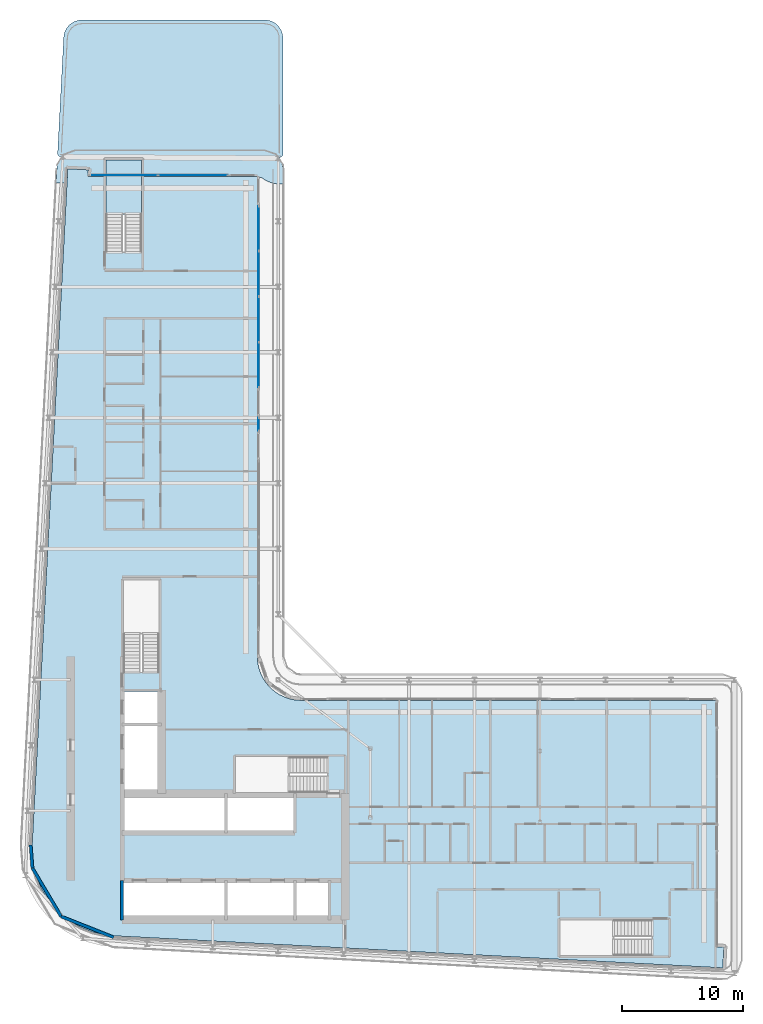
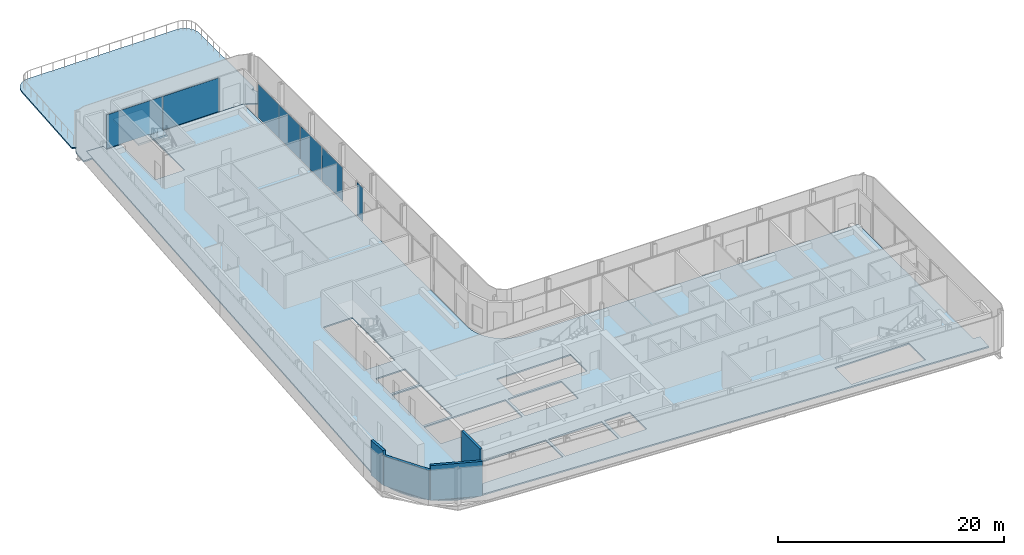
# One storey, part 9 of 22: 7 plates, 4 walls, 3 slabs, 5 elements without a shape of their own.
"""IFC4 building model written with IfcOpenShell, lengths in metres."""

from ifc_helpers import new_model, si_unit, direction, frame, frame_2d, origin, origin_2d, place, context, subcontext, project, spatial, polyline, rectangle, outline, extrude, material, layer, layer_set, type_object, element, aggregate, save


model = new_model("IFC4")

# Units and contexts
model_context = context("Model", 3, precision=1e-05, world=origin(), true_north=direction((0.0, 1.0)))
body_context = subcontext(model_context, "Body", "Model", "MODEL_VIEW")
ifc_project = project(units=[si_unit("LENGTHUNIT", "METRE"), si_unit("AREAUNIT", "SQUARE_METRE"), si_unit("VOLUMEUNIT", "CUBIC_METRE"), si_unit("PLANEANGLEUNIT", "RADIAN"), si_unit("MASSUNIT", "GRAM", prefix="KILO")], contexts=[model_context])

# Site, building, storey
site_placement = place(None, origin())
site = spatial("IfcSite", under=ifc_project, at=site_placement, CompositionType="ELEMENT")
building_placement = place(site_placement, origin())
building = spatial("IfcBuilding", under=site, at=building_placement, Name="Kheshtan School and Residences Tower", CompositionType="ELEMENT")
storey_placement = place(building_placement, frame((0.0, 0.0, 216.199951171875)))
storey = spatial("IfcBuildingStorey", under=building, at=storey_placement, Name="L50", CompositionType="ELEMENT", Elevation=216.199951171875)

# Curtain wall, plates
ifc_material_1 = material(Name="Clear low-e glass in thermally broken aluminium frame", Category="aluminium")
ifc_layer_1 = layer(ifc_material_1, 0.199951171875)
ifc_layer_set_1 = layer_set([ifc_layer_1], Name="Curtain wall CW-L")
curtain_wall_type = type_object("IfcCurtainWallType", Name="Curtain wall CW-L", PredefinedType="NOTDEFINED", material=ifc_layer_set_1)
curtain_wall_1_placement = place(storey_placement, origin())
curtain_wall_1 = element("IfcCurtainWall", 1, at=curtain_wall_1_placement, inside=storey, type_object=curtain_wall_type, Name="Curtain wall CWL3", PredefinedType="NOTDEFINED")
ifc_layer_2 = layer(ifc_material_1, 0.031982421875)
ifc_layer_set_2 = layer_set([ifc_layer_2], Name="CW-L glass panel")
plate_type = type_object("IfcPlateType", Name="CW-L glass panel", PredefinedType="CURTAIN_PANEL", material=ifc_layer_set_2)
plate_1_placement = place(storey_placement, frame((34.8330078125, 87.199951171875, 0.0), z_axis=(0.0, 0.0, 1.0), x_axis=(1.0, 0.0, 0.0)))
plate_1 = element("IfcPlate", 2, at=plate_1_placement, type_object=plate_type, Name="CWL3 panel 1.1", PredefinedType="CURTAIN_PANEL", context=body_context, shape_type="SweptSolid", body=[
    extrude(rectangle(XDim=5.697998046875, YDim=0.031982421875, at=origin_2d()), origin(), (0.0, 0.0, 1.0), 3.6298828125),
])
plate_2_placement = place(storey_placement, frame((40.591064453125, 87.199951171875, 0.0), z_axis=(0.0, 0.0, 1.0), x_axis=(1.0, 0.0, 0.0)))
plate_2 = element("IfcPlate", 3, at=plate_2_placement, type_object=plate_type, Name="CWL3 panel 2.1", PredefinedType="CURTAIN_PANEL", context=body_context, shape_type="SweptSolid", body=[
    extrude(rectangle(XDim=5.697998046875, YDim=0.031982421875, at=origin_2d()), origin(), (0.0, 0.0, 1.0), 3.6298828125),
])
aggregate(curtain_wall_1, [plate_1, plate_2])

curtain_wall_2_placement = place(storey_placement, origin())
curtain_wall_2 = element("IfcCurtainWall", 4, at=curtain_wall_2_placement, inside=storey, type_object=curtain_wall_type, Name="Curtain wall CWL4a", PredefinedType="NOTDEFINED")
plate_3_placement = place(storey_placement, frame((46.0, 82.8056640625, 0.0), z_axis=(0.0, 0.0, 1.0), x_axis=(0.0, -1.0, 0.0)))
plate_3 = element("IfcPlate", 5, at=plate_3_placement, type_object=plate_type, Name="CWL4a panel 1.1", PredefinedType="CURTAIN_PANEL", context=body_context, shape_type="SweptSolid", body=[
    extrude(rectangle(XDim=3.668701171875, YDim=0.031982421875, at=origin_2d()), origin(), (0.0, 0.0, 1.0), 3.6298828125),
])
plate_4_placement = place(storey_placement, frame((46.0, 79.076904296875, 0.0), z_axis=(0.0, 0.0, 1.0), x_axis=(0.0, -1.0, 0.0)))
plate_4 = element("IfcPlate", 6, at=plate_4_placement, type_object=plate_type, Name="CWL4a panel 2.1", PredefinedType="CURTAIN_PANEL", context=body_context, shape_type="SweptSolid", body=[
    extrude(rectangle(XDim=3.668701171875, YDim=0.031982421875, at=origin_2d()), origin(), (0.0, 0.0, 1.0), 3.6298828125),
])
aggregate(curtain_wall_2, [plate_3, plate_4])

curtain_wall_3_placement = place(storey_placement, origin())
curtain_wall_3 = element("IfcCurtainWall", 7, at=curtain_wall_3_placement, inside=storey, type_object=curtain_wall_type, Name="Curtain wall CWL4a", PredefinedType="NOTDEFINED")
plate_5_placement = place(storey_placement, frame((46.0, 75.318115234375, 0.0), z_axis=(0.0, 0.0, 1.0), x_axis=(0.0, -1.0, 0.0)))
plate_5 = element("IfcPlate", 8, at=plate_5_placement, type_object=plate_type, Name="CWL4a panel 1.1", PredefinedType="CURTAIN_PANEL", context=body_context, shape_type="SweptSolid", body=[
    extrude(rectangle(XDim=3.728759765625, YDim=0.031982421875, at=origin_2d()), origin(), (0.0, 0.0, 1.0), 3.6298828125),
])
plate_6_placement = place(storey_placement, frame((46.0, 71.559326171875, 0.0), z_axis=(0.0, 0.0, 1.0), x_axis=(0.0, -1.0, 0.0)))
plate_6 = element("IfcPlate", 9, at=plate_6_placement, type_object=plate_type, Name="CWL4a panel 2.1", PredefinedType="CURTAIN_PANEL", context=body_context, shape_type="SweptSolid", body=[
    extrude(rectangle(XDim=3.668701171875, YDim=0.031982421875, at=origin_2d()), origin(), (0.0, 0.0, 1.0), 3.6298828125),
])
aggregate(curtain_wall_3, [plate_5, plate_6])

# Curtain wall, plate
curtain_wall_4_placement = place(storey_placement, origin())
curtain_wall_4 = element("IfcCurtainWall", 10, at=curtain_wall_4_placement, inside=storey, type_object=curtain_wall_type, Name="Curtain wall CWL4h", PredefinedType="NOTDEFINED")
plate_7_placement = place(storey_placement, frame((46.0, 66.6650390625, 0.0), z_axis=(0.0, 0.0, 1.0), x_axis=(0.0, -1.0, 0.0)))
plate_7 = element("IfcPlate", 11, at=plate_7_placement, type_object=plate_type, Name="CWL4h panel 1.1", PredefinedType="CURTAIN_PANEL", context=body_context, shape_type="SweptSolid", body=[
    extrude(rectangle(XDim=1.080078125, YDim=0.031982421875, at=origin_2d()), origin(), (0.0, 0.0, 1.0), 3.6298828125),
])
aggregate(curtain_wall_4, [plate_7])

# Slab
ifc_material_2 = material(Name="Concrete C40/50", Category="concrete")
ifc_layer_3 = layer(ifc_material_2, 0.14990234375)
ifc_layer_set_3 = layer_set([ifc_layer_3], Name="Floor slab 150 Concrete C40/50")
slab_type_1 = type_object("IfcSlabType", Name="Floor slab 150 Concrete C40/50", PredefinedType="FLOOR", material=ifc_layer_set_3)
slab_1_placement = place(storey_placement, frame((0.0, 0.0, -0.14990234375)))
element("IfcSlab", 12, at=slab_1_placement, inside=storey, type_object=slab_type_1, Name="Floor slab L50", PredefinedType="FLOOR", context=body_context, shape_type="SweptSolid", body=[
    extrude(outline(polyline([(28.0849609375, 28.345947265625), (27.718017578125, 29.200927734375), (27.466064453125, 30.093017578125), (27.466064453125, 30.093994140625), (27.3330078125, 31.013916015625), (27.320068359375, 31.965087890625), (27.320068359375, 31.970947265625), (30.25390625, 87.700927734375), (30.2548828125, 87.7080078125), (30.258056640625, 87.73095703125), (30.258056640625, 87.73193359375), (30.259033203125, 87.73193359375), (30.85400390625, 87.699951171875), (30.85498046875, 87.699951171875), (30.85498046875, 87.698974609375), (30.85498046875, 87.695068359375), (30.85498046875, 87.694091796875), (30.85595703125, 87.694091796875), (30.85595703125, 87.693115234375), (30.85693359375, 87.693115234375), (30.85791015625, 87.693115234375), (30.85791015625, 87.694091796875), (30.860107421875, 87.696044921875), (30.861083984375, 87.697021484375), (30.862060546875, 87.697998046875), (30.863037109375, 87.697998046875), (30.863037109375, 87.698974609375), (30.864013671875, 87.698974609375), (30.864013671875, 87.699951171875), (30.864990234375, 87.699951171875), (30.866943359375, 87.700927734375), (30.867919921875, 87.701904296875), (30.87109375, 87.701904296875), (30.8720703125, 87.701904296875), (30.8720703125, 87.702880859375), (30.873046875, 87.702880859375), (30.8779296875, 87.702880859375), (31.93310546875, 87.64697265625), (31.93603515625, 87.64697265625), (31.93701171875, 87.64697265625), (31.93701171875, 87.64599609375), (31.93798828125, 87.64599609375), (31.94189453125, 87.64599609375), (31.94189453125, 87.64501953125), (31.943115234375, 87.64501953125), (31.943115234375, 87.64404296875), (31.944091796875, 87.64404296875), (31.944091796875, 87.64306640625), (31.945068359375, 87.64306640625), (31.946044921875, 87.64306640625), (31.946044921875, 87.64208984375), (31.947021484375, 87.64208984375), (31.947998046875, 87.64208984375), (31.947998046875, 87.64111328125), (31.949951171875, 87.638916015625), (31.950927734375, 87.638916015625), (31.950927734375, 87.637939453125), (31.950927734375, 87.636962890625), (31.951904296875, 87.636962890625), (31.951904296875, 87.635986328125), (31.952880859375, 87.635986328125), (31.952880859375, 87.634033203125), (31.952880859375, 87.633056640625), (31.9541015625, 87.633056640625), (31.9541015625, 87.632080078125), (31.955078125, 87.632080078125), (31.955078125, 87.631103515625), (31.955078125, 87.62890625), (31.955078125, 87.6279296875), (31.9560546875, 87.6279296875), (31.9560546875, 87.626953125), (31.9560546875, 87.6220703125), (31.928955078125, 87.12109375), (31.928955078125, 87.117919921875), (31.928955078125, 87.116943359375), (31.927978515625, 87.116943359375), (31.927978515625, 87.115966796875), (31.927978515625, 87.112060546875), (31.927001953125, 87.111083984375), (31.927001953125, 87.110107421875), (31.926025390625, 87.110107421875), (31.926025390625, 87.10888671875), (31.925048828125, 87.10888671875), (31.925048828125, 87.10791015625), (31.924072265625, 87.10693359375), (31.922119140625, 87.10498046875), (31.9208984375, 87.10400390625), (31.919921875, 87.10400390625), (31.919921875, 87.10302734375), (31.919921875, 87.10205078125), (31.919921875, 87.10107421875), (31.9208984375, 87.10107421875), (31.9208984375, 87.10009765625), (31.922119140625, 87.10009765625), (33.39990234375, 87.10009765625), (33.39990234375, 80.909912109375), (34.800048828125, 80.909912109375), (34.800048828125, 80.89990234375), (36.35009765625, 80.89990234375), (36.35009765625, 87.10009765625), (45.85498046875, 87.10009765625), (45.864990234375, 87.097900390625), (45.865966796875, 87.097900390625), (45.868896484375, 87.095947265625), (45.8740234375, 87.093994140625), (45.8779296875, 87.092041015625), (45.881103515625, 87.090087890625), (45.881103515625, 87.089111328125), (45.882080078125, 87.089111328125), (45.882080078125, 87.087890625), (45.883056640625, 87.087890625), (45.884033203125, 87.0849609375), (45.885009765625, 87.0849609375), (45.885009765625, 87.083984375), (45.887939453125, 87.0830078125), (45.887939453125, 87.08203125), (45.888916015625, 87.08203125), (45.888916015625, 87.0810546875), (45.889892578125, 87.0810546875), (45.89208984375, 87.077880859375), (45.89404296875, 87.073974609375), (45.89599609375, 87.069091796875), (45.89794921875, 87.06591796875), (45.89794921875, 87.06494140625), (45.89990234375, 87.054931640625), (45.89990234375, 47.429931640625), (45.927001953125, 47.030029296875), (46.01806640625, 46.570068359375), (46.01806640625, 46.569091796875), (46.169921875, 46.1201171875), (46.37890625, 45.697021484375), (46.638916015625, 45.30810546875), (46.949951171875, 44.950927734375), (46.950927734375, 44.949951171875), (47.30810546875, 44.638916015625), (47.697021484375, 44.37890625), (48.1201171875, 44.169921875), (48.569091796875, 44.01806640625), (48.570068359375, 44.01806640625), (49.030029296875, 43.927001953125), (49.429931640625, 43.89990234375), (83.655029296875, 43.89990234375), (83.659912109375, 43.89892578125), (83.6650390625, 43.89794921875), (83.666015625, 43.89794921875), (83.6689453125, 43.89599609375), (83.674072265625, 43.89404296875), (83.677978515625, 43.89208984375), (83.680908203125, 43.889892578125), (83.680908203125, 43.888916015625), (83.681884765625, 43.888916015625), (83.681884765625, 43.887939453125), (83.68310546875, 43.887939453125), (83.68408203125, 43.885009765625), (83.68505859375, 43.885009765625), (83.68505859375, 43.884033203125), (83.68798828125, 43.883056640625), (83.68798828125, 43.882080078125), (83.68896484375, 43.882080078125), (83.68896484375, 43.881103515625), (83.68994140625, 43.881103515625), (83.69189453125, 43.8779296875), (83.694091796875, 43.8740234375), (83.696044921875, 43.868896484375), (83.697998046875, 43.865966796875), (83.697998046875, 43.864990234375), (83.699951171875, 43.85498046875), (83.699951171875, 23.56201171875), (83.699951171875, 23.56103515625), (83.700927734375, 23.56103515625), (83.700927734375, 23.56005859375), (83.701904296875, 23.56005859375), (83.702880859375, 23.56005859375), (83.702880859375, 23.56103515625), (83.705078125, 23.56298828125), (83.7060546875, 23.56396484375), (83.70703125, 23.56494140625), (83.7080078125, 23.56494140625), (83.7080078125, 23.56591796875), (83.708984375, 23.56591796875), (83.708984375, 23.56689453125), (83.7099609375, 23.56689453125), (83.712890625, 23.569091796875), (83.716064453125, 23.569091796875), (83.717041015625, 23.569091796875), (83.717041015625, 23.570068359375), (83.718017578125, 23.570068359375), (83.722900390625, 23.570068359375), (84.337890625, 23.537109375), (84.341064453125, 23.537109375), (84.342041015625, 23.537109375), (84.342041015625, 23.535888671875), (84.343017578125, 23.535888671875), (84.346923828125, 23.535888671875), (84.346923828125, 23.534912109375), (84.347900390625, 23.534912109375), (84.347900390625, 23.533935546875), (84.34912109375, 23.533935546875), (84.34912109375, 23.532958984375), (84.35009765625, 23.532958984375), (84.35107421875, 23.532958984375), (84.35107421875, 23.531982421875), (84.35205078125, 23.531982421875), (84.35302734375, 23.531982421875), (84.35302734375, 23.531005859375), (84.35498046875, 23.529052734375), (84.35595703125, 23.529052734375), (84.35595703125, 23.528076171875), (84.35595703125, 23.527099609375), (84.35693359375, 23.527099609375), (84.35693359375, 23.52587890625), (84.35791015625, 23.52587890625), (84.35791015625, 23.52490234375), (84.35791015625, 23.52392578125), (84.35791015625, 23.52294921875), (84.35888671875, 23.52294921875), (84.35888671875, 23.52197265625), (84.360107421875, 23.52197265625), (84.360107421875, 23.52099609375), (84.360107421875, 23.51904296875), (84.360107421875, 23.51806640625), (84.361083984375, 23.51806640625), (84.361083984375, 23.51708984375), (84.361083984375, 23.511962890625), (84.304931640625, 22.455078125), (84.304931640625, 22.451904296875), (84.304931640625, 22.450927734375), (84.303955078125, 22.450927734375), (84.303955078125, 22.449951171875), (84.303955078125, 22.446044921875), (84.302978515625, 22.445068359375), (84.302978515625, 22.444091796875), (84.302001953125, 22.444091796875), (84.302001953125, 22.443115234375), (84.301025390625, 22.443115234375), (84.301025390625, 22.44189453125), (84.300048828125, 22.44091796875), (84.298095703125, 22.43896484375), (84.297119140625, 22.43798828125), (84.2958984375, 22.43798828125), (84.2958984375, 22.43701171875), (84.2958984375, 22.43603515625), (84.2958984375, 22.43505859375), (84.297119140625, 22.43505859375), (84.297119140625, 22.43408203125), (84.298095703125, 22.43408203125), (84.299072265625, 22.43408203125), (84.300048828125, 22.43408203125), (84.300048828125, 22.43310546875), (84.26806640625, 21.837890625), (84.26806640625, 21.8369140625), (84.26708984375, 21.8369140625), (84.242919921875, 21.8359375), (84.238037109375, 21.8359375), (34.056884765625, 24.47802734375), (33.114990234375, 24.590087890625), (32.215087890625, 24.819091796875), (32.214111328125, 24.819091796875), (31.35205078125, 25.1630859375), (30.541015625, 25.616943359375), (29.799072265625, 26.1708984375), (29.799072265625, 26.172119140625), (29.798095703125, 26.172119140625), (29.134033203125, 26.820068359375), (29.134033203125, 26.821044921875), (29.133056640625, 26.821044921875), (28.55908203125, 27.550048828125), (28.0849609375, 28.345947265625)]), holes=[polyline([(83.699951171875, 22.44091796875), (83.699951171875, 22.43994140625), (83.699951171875, 22.43603515625), (83.699951171875, 22.43505859375), (83.700927734375, 22.43505859375), (83.700927734375, 22.43408203125), (83.701904296875, 22.43408203125), (83.7060546875, 22.43408203125), (83.70703125, 22.43408203125), (83.70703125, 22.43505859375), (83.7080078125, 22.43505859375), (83.7080078125, 22.43603515625), (83.7080078125, 22.43701171875), (83.70703125, 22.43701171875), (83.7060546875, 22.43798828125), (83.7041015625, 22.43994140625), (83.702880859375, 22.44091796875), (83.702880859375, 22.44189453125), (83.701904296875, 22.44189453125), (83.700927734375, 22.44189453125), (83.700927734375, 22.44091796875), (83.699951171875, 22.44091796875)]), polyline([(30.85498046875, 87.10693359375), (30.85498046875, 87.10595703125), (30.85498046875, 87.10205078125), (30.85498046875, 87.10107421875), (30.85595703125, 87.10107421875), (30.85595703125, 87.10009765625), (30.85693359375, 87.10009765625), (30.861083984375, 87.10009765625), (30.862060546875, 87.10009765625), (30.862060546875, 87.10107421875), (30.863037109375, 87.10107421875), (30.863037109375, 87.10205078125), (30.863037109375, 87.10302734375), (30.862060546875, 87.10302734375), (30.861083984375, 87.10400390625), (30.860107421875, 87.10498046875), (30.85888671875, 87.10595703125), (30.85791015625, 87.10693359375), (30.85791015625, 87.10791015625), (30.85693359375, 87.10791015625), (30.85595703125, 87.10791015625), (30.85595703125, 87.10693359375), (30.85498046875, 87.10693359375)]), polyline([(43.175048828125, 28.925048828125), (34.875, 28.925048828125), (34.875, 25.925048828125), (43.175048828125, 25.925048828125), (43.175048828125, 28.925048828125)]), polyline([(43.175048828125, 36.074951171875), (34.875, 36.074951171875), (34.875, 33.074951171875), (43.175048828125, 33.074951171875), (43.175048828125, 36.074951171875)]), polyline([(34.875, 41.77490234375), (34.875, 36.324951171875), (37.875, 36.324951171875), (37.875, 41.77490234375), (34.875, 41.77490234375)]), polyline([(37.875, 44.625), (34.875, 44.625), (34.875, 42.02490234375), (37.875, 42.02490234375), (37.875, 44.625)]), polyline([(36.25, 46.25), (37.800048828125, 46.25), (37.800048828125, 53.81005859375), (34.85009765625, 53.81005859375), (34.85009765625, 46.260009765625), (36.25, 46.260009765625), (36.25, 46.25)]), polyline([(70.85009765625, 25.800048828125), (70.85009765625, 22.85009765625), (78.39990234375, 22.85009765625), (78.39990234375, 24.25), (78.409912109375, 24.25), (78.409912109375, 25.800048828125), (70.85009765625, 25.800048828125)]), polyline([(43.425048828125, 28.925048828125), (43.425048828125, 25.925048828125), (48.875, 25.925048828125), (48.875, 28.925048828125), (43.425048828125, 28.925048828125)]), polyline([(49.125, 28.925048828125), (49.125, 25.925048828125), (51.72509765625, 25.925048828125), (51.72509765625, 28.925048828125), (49.125, 28.925048828125)]), polyline([(43.425048828125, 36.074951171875), (43.425048828125, 33.074951171875), (48.875, 33.074951171875), (48.875, 36.074951171875), (43.425048828125, 36.074951171875)]), polyline([(51.64990234375, 37.699951171875), (51.64990234375, 39.25), (44.090087890625, 39.25), (44.090087890625, 36.300048828125), (51.639892578125, 36.300048828125), (51.639892578125, 37.699951171875), (51.64990234375, 37.699951171875)])]), origin(), (0.0, 0.0, 1.0), 0.14990234375),
])

# Stair, slab
stair_type = type_object("IfcStairType", Name="Exit stair, half-turn", PredefinedType="HALF_TURN_STAIR", material=ifc_material_2)
stair_placement = place(storey_placement, origin())
stair = element("IfcStair", 13, at=stair_placement, inside=storey, type_object=stair_type, Name="L50 Protected Exit Stair ST3", PredefinedType="HALF_TURN_STAIR")
ifc_layer_4 = layer(ifc_material_2, 0.199951171875)
ifc_layer_set_4 = layer_set([ifc_layer_4], Name="Stair landing 200 Concrete C40/50")
slab_type_2 = type_object("IfcSlabType", Name="Stair landing 200 Concrete C40/50", PredefinedType="LANDING", material=ifc_layer_set_4)
slab_2_placement = place(storey_placement, frame((0.0, 0.0, 1.75)))
slab_2 = element("IfcSlab", 14, at=slab_2_placement, type_object=slab_type_2, Name="ST3 landing 1", PredefinedType="LANDING", context=body_context, shape_type="SweptSolid", body=[
    extrude(outline(polyline([(36.35009765625, 83.97998046875), (36.35009765625, 88.4599609375), (33.39990234375, 88.4599609375), (33.39990234375, 83.97998046875), (36.35009765625, 83.97998046875)])), origin(), (0.0, 0.0, 1.0), 0.199951171875),
])
aggregate(stair, [slab_2])

# Slab
ifc_layer_5 = layer(ifc_material_2, 0.14990234375)
ifc_layer_set_5 = layer_set([ifc_layer_5], Name="Terrace slab 150 Concrete C40/50")
slab_type_3 = type_object("IfcSlabType", Name="Terrace slab 150 Concrete C40/50", PredefinedType="FLOOR", material=ifc_layer_set_5)
slab_3_placement = place(storey_placement, frame((0.0, 0.0, -0.14990234375)))
element("IfcSlab", 15, at=slab_3_placement, inside=storey, type_object=slab_type_3, Name="Terrace slab L50", PredefinedType="FLOOR", context=body_context, shape_type="SweptSolid", body=[
    extrude(outline(polyline([(29.29296875, 86.568115234375), (29.35693359375, 87.779052734375), (29.363037109375, 87.826904296875), (29.363037109375, 87.827880859375), (29.362060546875, 87.827880859375), (29.362060546875, 87.8291015625), (29.361083984375, 87.8291015625), (29.361083984375, 87.830078125), (29.360107421875, 87.830078125), (29.360107421875, 87.8310546875), (29.35888671875, 87.8310546875), (29.35888671875, 87.83203125), (29.35888671875, 87.8330078125), (29.376953125, 87.98095703125), (29.376953125, 87.98388671875), (29.376953125, 87.985107421875), (29.3779296875, 87.985107421875), (29.3779296875, 87.986083984375), (29.37890625, 87.986083984375), (29.37890625, 87.987060546875), (29.3798828125, 87.987060546875), (29.381103515625, 87.987060546875), (29.381103515625, 87.988037109375), (29.382080078125, 87.988037109375), (29.43505859375, 88.18408203125), (29.514892578125, 88.375), (29.62109375, 88.552978515625), (29.7470703125, 88.7109375), (29.748046875, 88.7109375), (29.748046875, 88.7119140625), (29.7490234375, 88.7119140625), (29.7490234375, 88.712890625), (29.75, 88.712890625), (29.75, 88.714111328125), (29.81494140625, 88.777099609375), (29.81591796875, 88.777099609375), (29.81591796875, 88.778076171875), (29.81591796875, 88.779052734375), (29.81494140625, 88.779052734375), (29.81494140625, 88.780029296875), (29.81396484375, 88.780029296875), (29.81298828125, 88.780029296875), (29.803955078125, 88.77294921875), (29.781982421875, 88.760986328125), (29.759033203125, 88.7509765625), (29.739013671875, 88.743896484375), (29.736083984375, 88.743896484375), (29.7109375, 88.738037109375), (29.68701171875, 88.736083984375), (29.662109375, 88.735107421875), (29.636962890625, 88.737060546875), (29.613037109375, 88.741943359375), (29.610107421875, 88.741943359375), (29.589111328125, 88.7490234375), (29.56591796875, 88.758056640625), (29.5439453125, 88.77001953125), (29.52294921875, 88.782958984375), (29.507080078125, 88.7958984375), (29.507080078125, 88.797119140625), (29.506103515625, 88.797119140625), (29.506103515625, 88.798095703125), (29.5048828125, 88.798095703125), (29.5048828125, 88.799072265625), (29.50390625, 88.799072265625), (29.487060546875, 88.81591796875), (29.487060546875, 88.81689453125), (29.486083984375, 88.81689453125), (29.486083984375, 88.818115234375), (29.485107421875, 88.818115234375), (29.485107421875, 88.819091796875), (29.48388671875, 88.819091796875), (29.470947265625, 88.8349609375), (29.45703125, 88.85595703125), (29.445068359375, 88.8779296875), (29.43603515625, 88.90087890625), (29.427978515625, 88.9208984375), (29.427978515625, 88.924072265625), (29.424072265625, 88.948974609375), (29.4208984375, 88.972900390625), (29.4208984375, 88.998046875), (29.924072265625, 98.570068359375), (29.926025390625, 98.5869140625), (29.947998046875, 98.76708984375), (29.9541015625, 98.801025390625), (29.9541015625, 98.803955078125), (29.998046875, 98.967041015625), (30.010009765625, 99.0009765625), (30.077880859375, 99.159912109375), (30.092041015625, 99.18798828125), (30.178955078125, 99.3369140625), (30.18896484375, 99.35302734375), (30.199951171875, 99.367919921875), (30.304931640625, 99.4990234375), (30.305908203125, 99.4990234375), (30.305908203125, 99.5), (30.306884765625, 99.5), (30.306884765625, 99.5009765625), (30.30810546875, 99.5009765625), (30.30810546875, 99.501953125), (30.3310546875, 99.52587890625), (30.4560546875, 99.64501953125), (30.45703125, 99.64501953125), (30.45703125, 99.64599609375), (30.4580078125, 99.64599609375), (30.4580078125, 99.64697265625), (30.458984375, 99.64697265625), (30.458984375, 99.64794921875), (30.48291015625, 99.66796875), (30.6220703125, 99.76708984375), (30.65087890625, 99.783935546875), (30.804931640625, 99.864990234375), (30.8369140625, 99.87890625), (30.9990234375, 99.93701171875), (31.028076171875, 99.947021484375), (31.031005859375, 99.947021484375), (31.199951171875, 99.98291015625), (31.235107421875, 99.987060546875), (31.4140625, 99.9990234375), (31.430908203125, 100.0), (46.491943359375, 100.0), (46.508056640625, 99.9990234375), (46.678955078125, 99.988037109375), (46.7119140625, 99.98388671875), (46.8720703125, 99.951904296875), (46.903076171875, 99.944091796875), (46.906005859375, 99.944091796875), (47.05810546875, 99.89208984375), (47.089111328125, 99.87890625), (47.236083984375, 99.805908203125), (47.263916015625, 99.7900390625), (47.39990234375, 99.698974609375), (47.425048828125, 99.679931640625), (47.544921875, 99.575927734375), (47.544921875, 99.574951171875), (47.5458984375, 99.574951171875), (47.5458984375, 99.573974609375), (47.547119140625, 99.573974609375), (47.547119140625, 99.572998046875), (47.548095703125, 99.572998046875), (47.572998046875, 99.548095703125), (47.572998046875, 99.547119140625), (47.573974609375, 99.547119140625), (47.573974609375, 99.5458984375), (47.574951171875, 99.5458984375), (47.574951171875, 99.544921875), (47.575927734375, 99.544921875), (47.679931640625, 99.425048828125), (47.698974609375, 99.39990234375), (47.7900390625, 99.263916015625), (47.805908203125, 99.236083984375), (47.87890625, 99.089111328125), (47.89208984375, 99.05810546875), (47.944091796875, 98.906005859375), (47.944091796875, 98.903076171875), (47.951904296875, 98.8720703125), (47.98388671875, 98.7119140625), (47.988037109375, 98.678955078125), (47.9990234375, 98.508056640625), (48.0, 98.491943359375), (48.0, 88.924072265625), (47.9990234375, 88.89892578125), (47.9951171875, 88.875), (47.989013671875, 88.85107421875), (47.989013671875, 88.847900390625), (47.98095703125, 88.827880859375), (47.969970703125, 88.805908203125), (47.9580078125, 88.784912109375), (47.946044921875, 88.76806640625), (47.945068359375, 88.76806640625), (47.945068359375, 88.76708984375), (47.944091796875, 88.76708984375), (47.944091796875, 88.76611328125), (47.943115234375, 88.76611328125), (47.943115234375, 88.764892578125), (47.927001953125, 88.7470703125), (47.908935546875, 88.73095703125), (47.907958984375, 88.73095703125), (47.907958984375, 88.72998046875), (47.906982421875, 88.72998046875), (47.906982421875, 88.72900390625), (47.906005859375, 88.72900390625), (47.906005859375, 88.72802734375), (47.888916015625, 88.716064453125), (47.867919921875, 88.7041015625), (47.845947265625, 88.693115234375), (47.825927734375, 88.68505859375), (47.822998046875, 88.68505859375), (47.799072265625, 88.678955078125), (47.77490234375, 88.675048828125), (47.75, 88.674072265625), (47.72509765625, 88.675048828125), (47.700927734375, 88.678955078125), (47.677001953125, 88.68505859375), (47.674072265625, 88.68505859375), (47.654052734375, 88.693115234375), (47.632080078125, 88.7041015625), (47.611083984375, 88.716064453125), (47.595947265625, 88.72705078125), (47.594970703125, 88.72705078125), (47.593994140625, 88.72705078125), (47.593994140625, 88.72607421875), (47.593017578125, 88.72607421875), (47.593017578125, 88.72509765625), (47.593017578125, 88.72412109375), (47.68701171875, 88.615966796875), (47.68798828125, 88.615966796875), (47.68798828125, 88.614990234375), (47.68896484375, 88.614990234375), (47.68896484375, 88.614013671875), (47.68994140625, 88.614013671875), (47.694091796875, 88.614013671875), (47.695068359375, 88.614013671875), (47.695068359375, 88.613037109375), (47.696044921875, 88.613037109375), (47.696044921875, 88.612060546875), (47.799072265625, 88.45703125), (47.800048828125, 88.45703125), (47.800048828125, 88.4560546875), (47.801025390625, 88.4560546875), (47.801025390625, 88.455078125), (47.802001953125, 88.455078125), (47.802001953125, 88.4541015625), (47.802978515625, 88.4541015625), (47.802978515625, 88.452880859375), (47.802978515625, 88.449951171875), (47.802978515625, 88.448974609375), (47.802001953125, 88.448974609375), (47.802001953125, 88.447998046875), (47.801025390625, 88.447998046875), (47.801025390625, 88.447021484375), (47.801025390625, 88.446044921875), (47.801025390625, 88.445068359375), (47.885986328125, 88.27392578125), (47.948974609375, 88.091064453125), (47.948974609375, 88.087890625), (47.987060546875, 87.89599609375), (48.0, 87.699951171875), (48.0, 86.491943359375), (48.0, 86.490966796875), (47.9990234375, 86.490966796875), (47.863037109375, 86.47705078125), (47.837890625, 86.47607421875), (47.662109375, 86.47607421875), (47.636962890625, 86.47705078125), (47.363037109375, 86.5048828125), (47.339111328125, 86.509033203125), (47.1669921875, 86.544921875), (47.14306640625, 86.551025390625), (47.139892578125, 86.551025390625), (46.9541015625, 86.60693359375), (46.930908203125, 86.614990234375), (46.669921875, 86.72509765625), (46.64794921875, 86.736083984375), (46.5400390625, 86.7939453125), (46.51904296875, 86.805908203125), (46.291015625, 86.9560546875), (46.27099609375, 86.970947265625), (46.237060546875, 86.9990234375), (46.236083984375, 86.9990234375), (45.90087890625, 86.9990234375), (45.89990234375, 86.9990234375), (45.89990234375, 87.0), (45.89990234375, 87.097900390625), (45.89990234375, 87.09912109375), (45.89892578125, 87.09912109375), (45.89892578125, 87.10009765625), (45.89794921875, 87.10009765625), (36.35009765625, 87.10009765625), (36.35009765625, 88.4599609375), (33.39990234375, 88.4599609375), (33.39990234375, 87.10009765625), (31.925048828125, 87.10009765625), (31.924072265625, 87.10009765625), (31.952880859375, 87.639892578125), (31.952880859375, 87.64111328125), (31.951904296875, 87.64111328125), (31.951904296875, 87.64208984375), (31.950927734375, 87.64208984375), (31.949951171875, 87.64208984375), (30.260009765625, 87.73193359375), (30.259033203125, 87.73193359375), (30.259033203125, 87.73095703125), (30.258056640625, 87.73095703125), (30.258056640625, 87.72998046875), (30.258056640625, 87.72900390625), (30.25390625, 87.700927734375), (30.196044921875, 86.593994140625), (30.196044921875, 86.593017578125), (30.195068359375, 86.593017578125), (30.06005859375, 86.56591796875), (29.89404296875, 86.5458984375), (29.8701171875, 86.5439453125), (29.77490234375, 86.5380859375), (29.75, 86.537109375), (29.487060546875, 86.5419921875), (29.4619140625, 86.5439453125), (29.2939453125, 86.568115234375), (29.29296875, 86.568115234375)])), origin(), (0.0, 0.0, 1.0), 0.14990234375),
])

# Walls
ifc_material_3 = material(Name="Concrete C40/50 with ceramic cladding and mineral wool insulation", Category="concrete")
ifc_layer_6 = layer(ifc_material_3, 0.25)
ifc_layer_set_6 = layer_set([ifc_layer_6], Name="External wall 250 ceramic clad")
wall_type_1 = type_object("IfcWallType", Name="External wall 250 ceramic clad", PredefinedType="SOLIDWALL", material=ifc_layer_set_6)
wall_1_placement = place(storey_placement, frame((34.0390625, 24.35302734375, 0.0), z_axis=(0.0, 0.0, 1.0), x_axis=(-0.929352825399, 0.369192803184, 0.0)))
element("IfcWall", 16, at=wall_1_placement, inside=storey, type_object=wall_type_1, Name="External wall L50 13", PredefinedType="SOLIDWALL", context=body_context, shape_type="SweptSolid", body=[
    extrude(rectangle(XDim=4.656005859375, YDim=0.25, at=frame_2d((2.328125, 0.0))), origin(), (0.0, 0.0, 1.0), 3.75),
])
wall_2_placement = place(storey_placement, frame((29.7119140625, 26.072021484375, 0.0), z_axis=(0.0, 0.0, 1.0), x_axis=(-0.511028049012, 0.859564036662, 0.0)))
element("IfcWall", 17, at=wall_2_placement, inside=storey, type_object=wall_type_1, Name="External wall L50 14", PredefinedType="SOLIDWALL", context=body_context, shape_type="SweptSolid", body=[
    extrude(rectangle(XDim=4.633544921875, YDim=0.25, at=frame_2d((2.31689453125, 0.0))), origin(), (0.0, 0.0, 1.0), 3.217041015625),
])
wall_3_placement = place(storey_placement, frame((27.343994140625, 30.054931640625, 0.0), z_axis=(0.0, 0.0, 1.0), x_axis=(-0.077571675317, 0.99698677784, 0.0)))
element("IfcWall", 18, at=wall_3_placement, inside=storey, type_object=wall_type_1, Name="External wall L50 15", PredefinedType="SOLIDWALL", context=body_context, shape_type="SweptSolid", body=[
    extrude(rectangle(XDim=1.919921875, YDim=0.25, at=frame_2d((0.9599609375, 0.0))), origin(), (0.0, 0.0, 1.0), 3.75),
])
ifc_material_4 = material(Name="Fire-board shaft wall system")
ifc_layer_7 = layer(ifc_material_4, 0.25)
ifc_layer_set_7 = layer_set([ifc_layer_7], Name="Shaft lining wall 250")
wall_type_2 = type_object("IfcWallType", Name="Shaft lining wall 250", PredefinedType="PARTITIONING", material=ifc_layer_set_7)
wall_4_placement = place(storey_placement, frame((34.75, 25.800048828125, 0.0), z_axis=(0.0, 0.0, 1.0), x_axis=(0.0, 1.0, 0.0)))
element("IfcWall", 19, at=wall_4_placement, inside=storey, type_object=wall_type_2, Name="Shaft lining wall", PredefinedType="PARTITIONING", context=body_context, shape_type="SweptSolid", body=[
    extrude(rectangle(XDim=3.25, YDim=0.25, at=frame_2d((1.625, 0.0))), origin(), (0.0, 0.0, 1.0), 3.900146484375),
])

save(model, "model.ifc")
